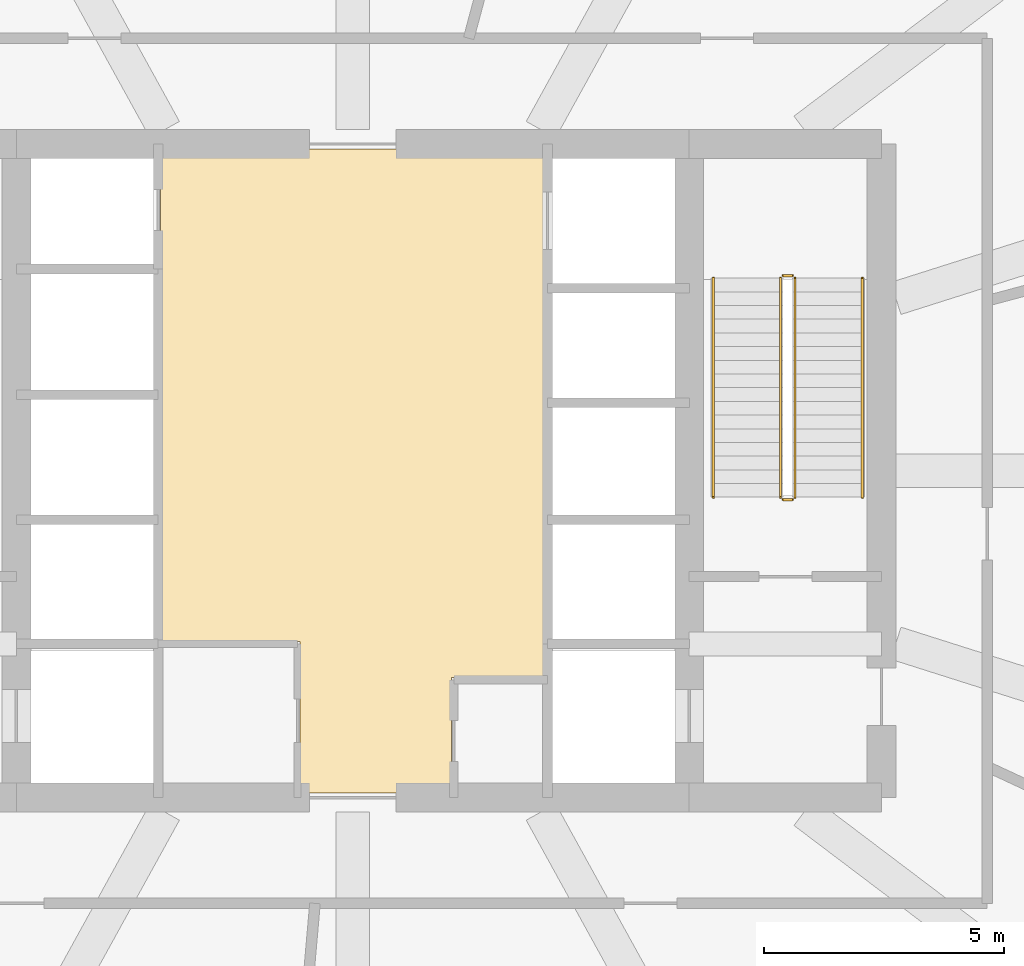
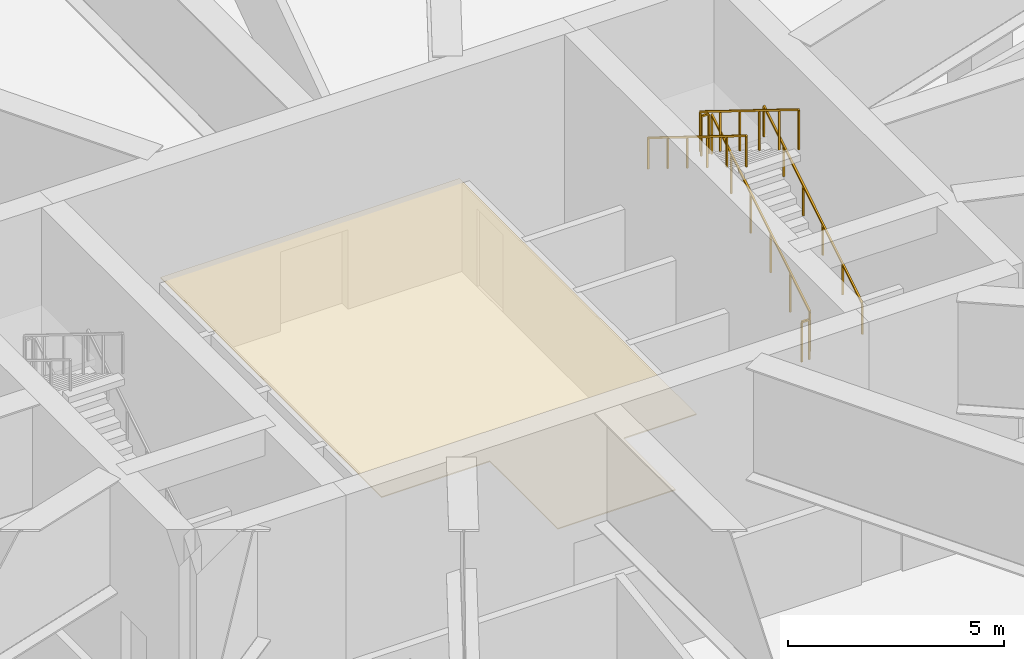
# One storey, part 9 of 9: 6 railings, 1 covering.
"""IFC4 building model written with IfcOpenShell, lengths in metres."""

import ifcopenshell
import ifcopenshell.guid

model = None  # the IFC model being written
_history = None  # IfcOwnerHistory: only IFC2X3 demands one
_inside = {}  # id of a spatial element -> (the spatial element, [elements in it])
_under = {}  # id of a project, library or spatial element -> (it, [spatial elements below it])
_declared = {}  # id of a project -> (the project, [libraries it declares])
_typed = {}  # id of a type object -> (the type object, [elements of that type])
_made_of = {}  # id of a material, layer set ... -> (it, [elements and type objects made of it])


def new_model(schema):
    """Start an empty IFC model of exactly this schema.

    Asked for "IFC4X3", IfcOpenShell would pick the latest addendum, in which some entities
    have other attributes; the version numbers below select the first issue.
    IFC2X3 requires an IfcOwnerHistory on every rooted entity: one is made here for all.
    """
    global model, _history
    if schema == "IFC4X3":
        model = ifcopenshell.file(schema_version=(4, 3, 0, 0))
    else:
        model = ifcopenshell.file(schema=schema)
    _inside.clear()
    _under.clear()
    _declared.clear()
    _typed.clear()
    _made_of.clear()
    _history = None
    if model.schema == "IFC2X3":
        org = make("IfcOrganization", Name="unknown")
        user = make(
            "IfcPersonAndOrganization",
            ThePerson=make("IfcPerson", FamilyName="unknown"),
            TheOrganization=org,
        )
        app = make(
            "IfcApplication",
            ApplicationDeveloper=org,
            Version="unknown",
            ApplicationFullName="unknown",
            ApplicationIdentifier="unknown",
        )
        _history = make(
            "IfcOwnerHistory",
            OwningUser=user,
            OwningApplication=app,
            ChangeAction="ADDED",
            CreationDate=0,
        )
    return model


def make(cls, **values):
    """One entity of the class cls with the attributes given. An attribute that is None is left unset."""
    return model.create_entity(
        cls, **{name: value for name, value in values.items() if value is not None}
    )


def rooted(cls, **values):
    """An entity with a GlobalId (a new one), such as an element, a storey or a relation."""
    return make(cls, GlobalId=ifcopenshell.guid.new(), OwnerHistory=_history, **values)


def si_unit(unit_type, name, prefix=None):
    """IfcSIUnit, for example si_unit("LENGTHUNIT", "METRE", prefix="MILLI")."""
    return make("IfcSIUnit", UnitType=unit_type, Prefix=prefix, Name=name)


def assignment(units):
    """IfcUnitAssignment: the units of a project."""
    return None if units is None else make("IfcUnitAssignment", Units=units)


def point(xyz):
    """IfcCartesianPoint."""
    return None if xyz is None else make("IfcCartesianPoint", Coordinates=xyz)


def direction(xyz):
    """IfcDirection."""
    return None if xyz is None else make("IfcDirection", DirectionRatios=xyz)


def frame(location, z_axis=None, x_axis=None):
    """IfcAxis2Placement3D, a coordinate frame: its origin and axes. An axis left out is left unset."""
    return make(
        "IfcAxis2Placement3D",
        Location=point(location),
        Axis=direction(z_axis),
        RefDirection=direction(x_axis),
    )


def frame_2d(location, x_axis=None):
    """IfcAxis2Placement2D, a coordinate frame in the plane: its origin and x axis."""
    return make(
        "IfcAxis2Placement2D", Location=point(location), RefDirection=direction(x_axis)
    )


def origin():
    """The frame at (0, 0, 0) with its axes left unset."""
    return frame((0.0, 0.0, 0.0))


def origin_2d():
    """The frame at (0, 0) in the plane with its x axis left unset."""
    return frame_2d((0.0, 0.0))


def place(relative_to, where):
    """IfcLocalPlacement: puts the frame where relative to a parent placement (None: the world)."""
    return make(
        "IfcLocalPlacement", PlacementRelTo=relative_to, RelativePlacement=where
    )


def context(
    kind, dimensions, precision=None, world=None, true_north=None, identifier=None
):
    """IfcGeometricRepresentationContext, for example the 3D "Model" context."""
    return make(
        "IfcGeometricRepresentationContext",
        ContextIdentifier=identifier,
        ContextType=kind,
        CoordinateSpaceDimension=dimensions,
        Precision=precision,
        WorldCoordinateSystem=world,
        TrueNorth=true_north,
    )


def subcontext(parent, identifier, kind, view, scale=None):
    """IfcGeometricRepresentationSubContext, for example "Body" below "Model"."""
    return make(
        "IfcGeometricRepresentationSubContext",
        ContextIdentifier=identifier,
        ContextType=kind,
        ParentContext=parent,
        TargetScale=scale,
        TargetView=view,
    )


def project(units=None, contexts=None):
    """IfcProject with its units and contexts."""
    return rooted(
        "IfcProject",
        Name="project",
        RepresentationContexts=contexts,
        UnitsInContext=assignment(units),
    )


def spatial(cls, under=None, at=None, **own):
    """A site, building, storey or space (cls), placed at a placement, below another one or the project."""
    s = rooted(cls, ObjectPlacement=at, **own)
    if under is not None:
        _under.setdefault(under.id(), (under, []))[1].append(s)
    return s


def polyline(points):
    """IfcPolyline through the points."""
    return make("IfcPolyline", Points=[point(p) for p in points])


def profile(cls, at=None, kind="AREA", **sizes):
    """A parametric profile (cls). Its sizes go by their IFC names, for example OverallWidth=200.0."""
    return make(cls, ProfileType=kind, Position=at, **sizes)


def rectangle(**sizes):
    """IfcRectangleProfileDef."""
    return profile("IfcRectangleProfileDef", **sizes)


def outline(outer, holes=None, kind="AREA"):
    """IfcArbitraryClosedProfileDef: a profile drawn as a closed curve; with holes, ...WithVoids."""
    if holes is None:
        return make("IfcArbitraryClosedProfileDef", ProfileType=kind, OuterCurve=outer)
    return make(
        "IfcArbitraryProfileDefWithVoids",
        ProfileType=kind,
        OuterCurve=outer,
        InnerCurves=holes,
    )


def extrude(swept, where, along, depth):
    """IfcExtrudedAreaSolid: the profile swept, set in the frame where, extruded along a direction by depth."""
    return make(
        "IfcExtrudedAreaSolid",
        SweptArea=swept,
        Position=where,
        ExtrudedDirection=direction(along),
        Depth=depth,
    )


def shape(context_of_items, identifier, shape_type, items):
    """IfcShapeRepresentation: the items that make up one representation, for example the "Body"."""
    return make(
        "IfcShapeRepresentation",
        ContextOfItems=context_of_items,
        RepresentationIdentifier=identifier,
        RepresentationType=shape_type,
        Items=items,
    )


def material(Name=None, Category=None):
    """IfcMaterial."""
    return make("IfcMaterial", Name=Name, Category=Category)


def layer(
    of_material, thickness, ventilated=None, Name=None, Category=None, Priority=None
):
    """IfcMaterialLayer: one layer of a wall or slab, of a material (None: an air gap)."""
    return make(
        "IfcMaterialLayer",
        Material=of_material,
        LayerThickness=thickness,
        IsVentilated=ventilated,
        Name=Name,
        Category=Category,
        Priority=Priority,
    )


def layer_set(layers, Name=None):
    """IfcMaterialLayerSet."""
    return make("IfcMaterialLayerSet", MaterialLayers=layers, LayerSetName=Name)


def made_of(thing, what):
    """Note that an element or type object is made of a material, layer set ...; save() writes the relation."""
    if what is not None:
        _made_of.setdefault(what.id(), (what, []))[1].append(thing)
    return thing


def type_object(cls, material=None, **own):
    """A type object (cls), such as IfcWallType, which elements share."""
    return made_of(rooted(cls, **own), material)


def element(
    cls,
    number,
    at=None,
    inside=None,
    cuts=None,
    type_object=None,
    material=None,
    context=None,
    identifier="Body",
    shape_type=None,
    held_by="IfcProductDefinitionShape",
    body=None,
    shapes=None,
    **own,
):
    """One element of the class cls, such as IfcWall. Its Tag is "e" and its number.

    at: its placement. inside: the storey or other place that contains it. cuts: it is an
    opening in that element (IfcRelVoidsElement). A single representation is given by context,
    identifier, shape_type and body (its items); several are given by shapes. held_by: the class
    of the entity that holds the representations. save() writes the other relations.
    """
    e = rooted(cls, Tag="e%d" % number, ObjectPlacement=at, **own)
    if body is not None:
        shapes = [shape(context, identifier, shape_type, body)]
    if shapes is not None:
        e.Representation = make(held_by, Representations=shapes)
    if inside is not None:
        _inside.setdefault(inside.id(), (inside, []))[1].append(e)
    if cuts is not None:
        rooted(
            "IfcRelVoidsElement", RelatingBuildingElement=cuts, RelatedOpeningElement=e
        )
    if type_object is not None:
        _typed.setdefault(type_object.id(), (type_object, []))[1].append(e)
    return made_of(e, material)


def aggregate(whole, parts):
    """IfcRelAggregates: a whole, such as a stair, and the parts it consists of."""
    return rooted("IfcRelAggregates", RelatingObject=whole, RelatedObjects=parts)


def save(model, path):
    """Write the relations noted so far, then the file.

    IfcRelAggregates (storeys below a building ...), IfcRelContainedInSpatialStructure (elements
    in a storey), IfcRelDefinesByType, IfcRelAssociatesMaterial and IfcRelDeclares: one each for
    every whole, place, type object, material and project.
    """
    for whole, parts in _under.values():
        aggregate(whole, parts)
    for where, things in _inside.values():
        rooted(
            "IfcRelContainedInSpatialStructure",
            RelatedElements=things,
            RelatingStructure=where,
        )
    for kind, things in _typed.values():
        rooted("IfcRelDefinesByType", RelatedObjects=things, RelatingType=kind)
    for what, things in _made_of.values():
        rooted("IfcRelAssociatesMaterial", RelatedObjects=things, RelatingMaterial=what)
    for by, libraries in _declared.values():
        rooted("IfcRelDeclares", RelatingContext=by, RelatedDefinitions=libraries)
    model.write(path)


model = new_model("IFC4")

# Units and contexts
model_context = context("Model", 3, precision=1e-05, world=origin(), true_north=direction((0.0, 1.0)))
body_context = subcontext(model_context, "Body", "Model", "MODEL_VIEW")
ifc_project = project(units=[si_unit("LENGTHUNIT", "METRE"), si_unit("AREAUNIT", "SQUARE_METRE"), si_unit("VOLUMEUNIT", "CUBIC_METRE"), si_unit("PLANEANGLEUNIT", "RADIAN"), si_unit("MASSUNIT", "GRAM", prefix="KILO")], contexts=[model_context])

# Site, building, storey
site_placement = place(None, origin())
site = spatial("IfcSite", under=ifc_project, at=site_placement, CompositionType="ELEMENT")
building_placement = place(site_placement, origin())
building = spatial("IfcBuilding", under=site, at=building_placement, Name="Sarneth Arch Tower", CompositionType="ELEMENT")
storey_placement = place(building_placement, frame((0.0, 0.0, 22.199951171875)))
storey = spatial("IfcBuildingStorey", under=building, at=storey_placement, Name="L04", CompositionType="ELEMENT", Elevation=22.199951171875)

# Covering
ifc_material_1 = material(Name="Perforated acoustic gypsum ceiling board")
ifc_layer = layer(ifc_material_1, 0.02490234375)
ifc_layer_set = layer_set([ifc_layer], Name="Perforated acoustic gypsum ceiling board")
covering_type = type_object("IfcCoveringType", Name="COV-CEIL-GYP", PredefinedType="CEILING", material=ifc_layer_set)
covering_placement = place(storey_placement, frame((0.0, 0.0, 2.469970703125)))
element("IfcCovering", 1, at=covering_placement, inside=storey, type_object=covering_type, Name="L04 Lift lobby acoustic ceiling", PredefinedType="CEILING", context=body_context, shape_type="SweptSolid", body=[
    extrude(outline(polyline([(52.0, 37.699951171875), (50.050048828125, 37.699951171875), (50.050048828125, 35.300048828125), (46.89990234375, 35.300048828125), (46.89990234375, 38.449951171875), (44.0, 38.449951171875), (44.0, 48.699951171875), (52.0, 48.699951171875), (52.0, 37.699951171875)])), origin(), (0.0, 0.0, 1.0), 0.030029296875),
])

# Railings
ifc_material_2 = material(Name="Brushed Stainless Steel 304 tubular handrail", Category="steel")
railing_type_1 = type_object("IfcRailingType", Name="RAIL-HANDRAIL-900", PredefinedType="HANDRAIL", material=ifc_material_2)
railing_1_placement = place(storey_placement, frame((58.60009765625, 41.449951171875, 0.176513671875)))
element("IfcRailing", 2, at=railing_1_placement, inside=storey, type_object=railing_type_1, Name="L04 ST-2 stair handrail 1", PredefinedType="HANDRAIL", context=body_context, shape_type="SweptSolid", body=[
    extrude(rectangle(XDim=0.048095703125, YDim=0.048095703125, at=origin_2d()), frame((0.0, 0.0, 0.8759765625), z_axis=(0.0, 0.850215668316, 0.526434532824), x_axis=(-1.0, 0.0, 0.0)), (0.0, 0.0, 1.0), 5.363525390625),
    extrude(rectangle(XDim=0.0419921875, YDim=0.0419921875, at=origin_2d()), origin(), (0.0, 0.0, 1.0), 0.851806640625),
    extrude(rectangle(XDim=0.0419921875, YDim=0.0419921875, at=origin_2d()), frame((0.0, 0.912109375, 0.564697265625)), (0.0, 0.0, 1.0), 0.851806640625),
    extrude(rectangle(XDim=0.0419921875, YDim=0.0419921875, at=origin_2d()), frame((0.0, 1.823974609375, 1.12939453125)), (0.0, 0.0, 1.0), 0.851806640625),
    extrude(rectangle(XDim=0.0419921875, YDim=0.0419921875, at=origin_2d()), frame((0.0, 2.736083984375, 1.694091796875)), (0.0, 0.0, 1.0), 0.851806640625),
    extrude(rectangle(XDim=0.0419921875, YDim=0.0419921875, at=origin_2d()), frame((0.0, 3.64794921875, 2.2587890625)), (0.0, 0.0, 1.0), 0.851806640625),
    extrude(rectangle(XDim=0.0419921875, YDim=0.0419921875, at=origin_2d()), frame((0.0, 4.56005859375, 2.823486328125)), (0.0, 0.0, 1.0), 0.851806640625),
])
railing_2_placement = place(storey_placement, frame((55.5, 46.010009765625, 3.176513671875)))
element("IfcRailing", 3, at=railing_2_placement, inside=storey, type_object=railing_type_1, Name="L04 ST-2 stair handrail 2", PredefinedType="HANDRAIL", context=body_context, shape_type="SweptSolid", body=[
    extrude(rectangle(XDim=0.048095703125, YDim=0.048095703125, at=origin_2d()), frame((0.0, 0.0, 0.8759765625), z_axis=(0.0, -0.850215668316, 0.526434532824), x_axis=(1.0, 0.0, 0.0)), (0.0, 0.0, 1.0), 5.363525390625),
    extrude(rectangle(XDim=0.0419921875, YDim=0.0419921875, at=origin_2d()), origin(), (0.0, 0.0, 1.0), 0.851806640625),
    extrude(rectangle(XDim=0.0419921875, YDim=0.0419921875, at=origin_2d()), frame((0.0, -0.912109375, 0.564697265625)), (0.0, 0.0, 1.0), 0.851806640625),
    extrude(rectangle(XDim=0.0419921875, YDim=0.0419921875, at=origin_2d()), frame((0.0, -1.823974609375, 1.12939453125)), (0.0, 0.0, 1.0), 0.851806640625),
    extrude(rectangle(XDim=0.0419921875, YDim=0.0419921875, at=origin_2d()), frame((0.0, -2.736083984375, 1.694091796875)), (0.0, 0.0, 1.0), 0.851806640625),
    extrude(rectangle(XDim=0.0419921875, YDim=0.0419921875, at=origin_2d()), frame((0.0, -3.64794921875, 2.2587890625)), (0.0, 0.0, 1.0), 0.851806640625),
    extrude(rectangle(XDim=0.0419921875, YDim=0.0419921875, at=origin_2d()), frame((0.0, -4.56005859375, 2.823486328125)), (0.0, 0.0, 1.0), 0.851806640625),
])
ifc_material_3 = material(Name="Painted Steel S275 stair well guard", Category="steel")
railing_type_2 = type_object("IfcRailingType", Name="RAIL-STAIR-GUARD", PredefinedType="GUARDRAIL", material=ifc_material_3)
railing_3_placement = place(storey_placement, frame((57.199951171875, 41.449951171875, 0.176513671875)))
element("IfcRailing", 4, at=railing_3_placement, inside=storey, type_object=railing_type_2, Name="L04 ST-2 stair guard 1", PredefinedType="GUARDRAIL", context=body_context, shape_type="SweptSolid", body=[
    extrude(rectangle(XDim=0.048095703125, YDim=0.048095703125, at=origin_2d()), frame((0.0, 0.0, 1.1259765625), z_axis=(0.0, 0.850215668316, 0.526434532824), x_axis=(-1.0, 0.0, 0.0)), (0.0, 0.0, 1.0), 5.363525390625),
    extrude(rectangle(XDim=0.0419921875, YDim=0.0419921875, at=origin_2d()), origin(), (0.0, 0.0, 1.0), 1.101806640625),
    extrude(rectangle(XDim=0.0419921875, YDim=0.0419921875, at=origin_2d()), frame((0.0, 0.912109375, 0.564697265625)), (0.0, 0.0, 1.0), 1.101806640625),
    extrude(rectangle(XDim=0.0419921875, YDim=0.0419921875, at=origin_2d()), frame((0.0, 1.823974609375, 1.12939453125)), (0.0, 0.0, 1.0), 1.101806640625),
    extrude(rectangle(XDim=0.0419921875, YDim=0.0419921875, at=origin_2d()), frame((0.0, 2.736083984375, 1.694091796875)), (0.0, 0.0, 1.0), 1.101806640625),
    extrude(rectangle(XDim=0.0419921875, YDim=0.0419921875, at=origin_2d()), frame((0.0, 3.64794921875, 2.2587890625)), (0.0, 0.0, 1.0), 1.101806640625),
    extrude(rectangle(XDim=0.0419921875, YDim=0.0419921875, at=origin_2d()), frame((0.0, 4.56005859375, 2.823486328125)), (0.0, 0.0, 1.0), 1.101806640625),
])
railing_4_placement = place(storey_placement, frame((57.14990234375, 46.06005859375, 3.0)))
element("IfcRailing", 5, at=railing_4_placement, inside=storey, type_object=railing_type_2, Name="L04 ST-2 stair guard 2", PredefinedType="GUARDRAIL", context=body_context, shape_type="SweptSolid", body=[
    extrude(rectangle(XDim=0.048095703125, YDim=0.048095703125, at=origin_2d()), frame((0.0, 0.0, 1.1259765625), z_axis=(-1.0, 0.0, 0.0), x_axis=(0.0, -1.0, 0.0)), (0.0, 0.0, 1.0), 0.199951171875),
    extrude(rectangle(XDim=0.0419921875, YDim=0.0419921875, at=origin_2d()), origin(), (0.0, 0.0, 1.0), 1.101806640625),
    extrude(rectangle(XDim=0.0419921875, YDim=0.0419921875, at=origin_2d()), frame((-0.199951171875, 0.0, 0.0)), (0.0, 0.0, 1.0), 1.101806640625),
])
railing_5_placement = place(storey_placement, frame((56.89990234375, 46.010009765625, 3.176513671875)))
element("IfcRailing", 6, at=railing_5_placement, inside=storey, type_object=railing_type_2, Name="L04 ST-2 stair guard 3", PredefinedType="GUARDRAIL", context=body_context, shape_type="SweptSolid", body=[
    extrude(rectangle(XDim=0.048095703125, YDim=0.048095703125, at=origin_2d()), frame((0.0, 0.0, 1.1259765625), z_axis=(0.0, -0.850215668316, 0.526434532824), x_axis=(1.0, 0.0, 0.0)), (0.0, 0.0, 1.0), 5.363525390625),
    extrude(rectangle(XDim=0.0419921875, YDim=0.0419921875, at=origin_2d()), origin(), (0.0, 0.0, 1.0), 1.101806640625),
    extrude(rectangle(XDim=0.0419921875, YDim=0.0419921875, at=origin_2d()), frame((0.0, -0.912109375, 0.564697265625)), (0.0, 0.0, 1.0), 1.101806640625),
    extrude(rectangle(XDim=0.0419921875, YDim=0.0419921875, at=origin_2d()), frame((0.0, -1.823974609375, 1.12939453125)), (0.0, 0.0, 1.0), 1.101806640625),
    extrude(rectangle(XDim=0.0419921875, YDim=0.0419921875, at=origin_2d()), frame((0.0, -2.736083984375, 1.694091796875)), (0.0, 0.0, 1.0), 1.101806640625),
    extrude(rectangle(XDim=0.0419921875, YDim=0.0419921875, at=origin_2d()), frame((0.0, -3.64794921875, 2.2587890625)), (0.0, 0.0, 1.0), 1.101806640625),
    extrude(rectangle(XDim=0.0419921875, YDim=0.0419921875, at=origin_2d()), frame((0.0, -4.56005859375, 2.823486328125)), (0.0, 0.0, 1.0), 1.101806640625),
])
railing_6_placement = place(storey_placement, frame((57.14990234375, 41.39990234375, 0.0)))
element("IfcRailing", 7, at=railing_6_placement, inside=storey, type_object=railing_type_2, Name="L04 ST-2 stair guard 4", PredefinedType="GUARDRAIL", context=body_context, shape_type="SweptSolid", body=[
    extrude(rectangle(XDim=0.048095703125, YDim=0.048095703125, at=origin_2d()), frame((0.0, 0.0, 1.1259765625), z_axis=(-1.0, 0.0, 0.0), x_axis=(0.0, -1.0, 0.0)), (0.0, 0.0, 1.0), 0.199951171875),
    extrude(rectangle(XDim=0.0419921875, YDim=0.0419921875, at=origin_2d()), origin(), (0.0, 0.0, 1.0), 1.101806640625),
    extrude(rectangle(XDim=0.0419921875, YDim=0.0419921875, at=origin_2d()), frame((-0.199951171875, 0.0, 0.0)), (0.0, 0.0, 1.0), 1.101806640625),
])

save(model, "model.ifc")
